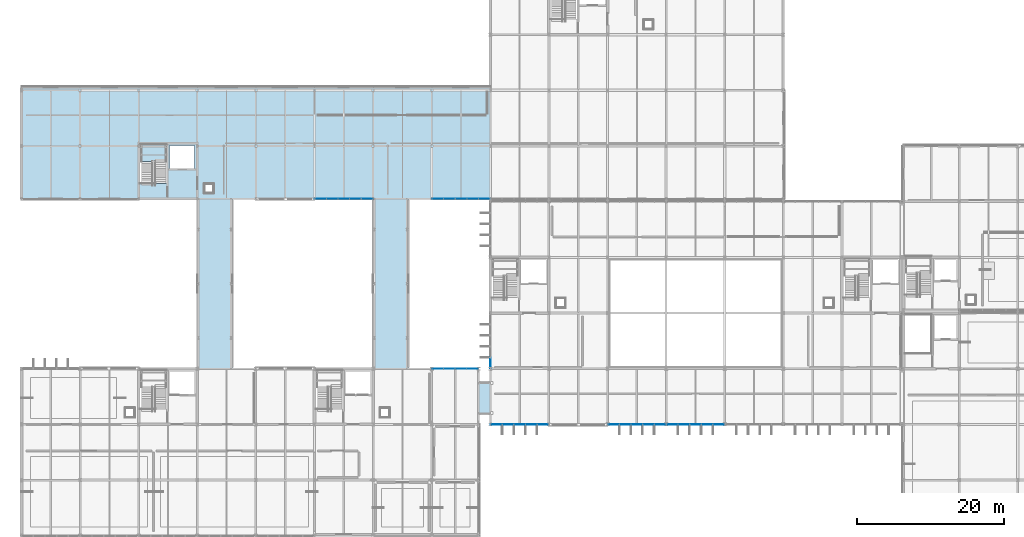
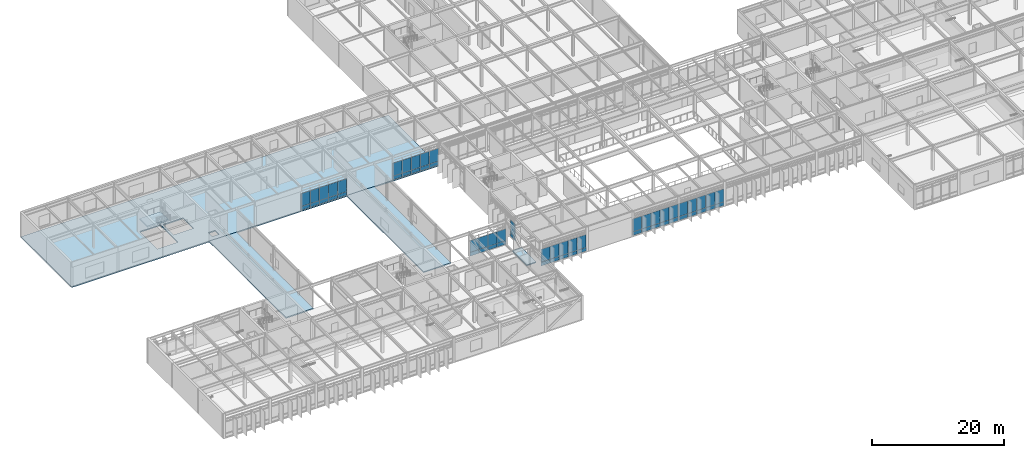
# One storey, part 70 of 104: 60 plates, 5 slabs, 8 elements without a shape of their own.
"""IFC4 building model written with IfcOpenShell, lengths in metres."""

from ifc_helpers import new_model, si_unit, direction, frame, origin, origin_2d, place, context, subcontext, project, spatial, polyline, rectangle, outline, extrude, material, layer, layer_set, type_object, element, aggregate, save


model = new_model("IFC4")

# Units and contexts
model_context = context("Model", 3, precision=1e-05, world=origin(), true_north=direction((0.0, 1.0)))
body_context = subcontext(model_context, "Body", "Model", "MODEL_VIEW")
ifc_project = project(units=[si_unit("LENGTHUNIT", "METRE"), si_unit("AREAUNIT", "SQUARE_METRE"), si_unit("VOLUMEUNIT", "CUBIC_METRE"), si_unit("PLANEANGLEUNIT", "RADIAN"), si_unit("MASSUNIT", "GRAM", prefix="KILO")], contexts=[model_context])

# Site, building, storey
site_placement = place(None, origin())
site = spatial("IfcSite", under=ifc_project, at=site_placement, CompositionType="ELEMENT")
building_placement = place(site_placement, origin())
building = spatial("IfcBuilding", under=site, at=building_placement, Name="Zulena Civic Courthouse", CompositionType="ELEMENT")
storey_placement = place(building_placement, frame((0.0, 0.0, 15.60009765625)))
storey = spatial("IfcBuildingStorey", under=building, at=storey_placement, Name="L03", CompositionType="ELEMENT", Elevation=15.60009765625)

# Slabs
ifc_material_1 = material(Name="Concrete C35/45", Category="concrete")
ifc_layer_1 = layer(ifc_material_1, 0.195068359375)
ifc_layer_set_1 = layer_set([ifc_layer_1], Name="Concrete C35/45")
slab_type_1 = type_object("IfcSlabType", Name="BridgeSlab_195", PredefinedType="FLOOR", material=ifc_layer_set_1)
slab_1_placement = place(storey_placement, frame((0.0, 0.0, -0.195068359375)))
element("IfcSlab", 1, at=slab_1_placement, inside=storey, type_object=slab_type_1, Name="slab:bridge:BR-24:L03", PredefinedType="FLOOR", context=body_context, shape_type="SweptSolid", body=[
    extrude(outline(polyline([(66.39990234375, 16.60009765625), (68.0, 16.60009765625), (68.0, 21.0), (66.39990234375, 21.0), (66.39990234375, 16.60009765625)])), origin(), (0.0, 0.0, 1.0), 0.195068359375),
])
slab_2_placement = place(storey_placement, frame((0.0, 0.0, -0.195068359375)))
element("IfcSlab", 2, at=slab_2_placement, inside=storey, type_object=slab_type_1, Name="slab:bridge:BR-52J:L03", PredefinedType="FLOOR", context=body_context, shape_type="SweptSolid", body=[
    extrude(outline(polyline([(28.0, 22.800048828125), (32.800048828125, 22.800048828125), (32.800048828125, 46.0), (28.0, 46.0), (28.0, 22.800048828125)])), origin(), (0.0, 0.0, 1.0), 0.195068359375),
])
slab_3_placement = place(storey_placement, frame((0.0, 0.0, -0.195068359375)))
element("IfcSlab", 3, at=slab_3_placement, inside=storey, type_object=slab_type_1, Name="slab:bridge:BR-52C:L03", PredefinedType="FLOOR", context=body_context, shape_type="SweptSolid", body=[
    extrude(outline(polyline([(52.0, 22.800048828125), (56.800048828125, 22.800048828125), (56.800048828125, 46.0), (52.0, 46.0), (52.0, 22.800048828125)])), origin(), (0.0, 0.0, 1.0), 0.195068359375),
])

# Curtain wall, plates
ifc_material_2 = material(Name="Double-silver low-E laminated solar-control glass", Category="glass")
curtain_wall_type_1 = type_object("IfcCurtainWallType", Name="CW_6328x3490", PredefinedType="USERDEFINED", material=ifc_material_2)
curtain_wall_1_placement = place(storey_placement, origin())
curtain_wall_1 = element("IfcCurtainWall", 4, at=curtain_wall_1_placement, inside=storey, type_object=curtain_wall_type_1, Name="cw:V2:L03:1:7", ObjectType="UNITISED CURTAIN WALL", PredefinedType="USERDEFINED")
ifc_material_3 = material(Name="Ceramic-fritted insulated spandrel glass", Category="glass")
ifc_layer_2 = layer(ifc_material_3, 0.0458984375)
ifc_layer_set_2 = layer_set([ifc_layer_2], Name="Ceramic-fritted insulated spandrel glass")
plate_type_1 = type_object("IfcPlateType", Name="CWPanel_Spandrel_46", PredefinedType="CURTAIN_PANEL", material=ifc_layer_set_2)
plate_1_placement = place(storey_placement, frame((60.826904296875, 22.800048828125, 0.06982421875), z_axis=(0.0, 0.0, 1.0), x_axis=(1.0, 0.0, 0.0)))
plate_1 = element("IfcPlate", 5, at=plate_1_placement, type_object=plate_type_1, Name="cw:V2:L03:1:7:panS:0", PredefinedType="CURTAIN_PANEL", context=body_context, shape_type="SweptSolid", body=[
    extrude(rectangle(XDim=1.531982421875, YDim=0.0458984375, at=origin_2d()), origin(), (0.0, 0.0, 1.0), 0.669921875),
])
plate_2_placement = place(storey_placement, frame((62.408935546875, 22.800048828125, 0.06982421875), z_axis=(0.0, 0.0, 1.0), x_axis=(1.0, 0.0, 0.0)))
plate_2 = element("IfcPlate", 6, at=plate_2_placement, type_object=plate_type_1, Name="cw:V2:L03:1:7:panS:1", PredefinedType="CURTAIN_PANEL", context=body_context, shape_type="SweptSolid", body=[
    extrude(rectangle(XDim=1.531982421875, YDim=0.0458984375, at=origin_2d()), origin(), (0.0, 0.0, 1.0), 0.669921875),
])
plate_3_placement = place(storey_placement, frame((63.990966796875, 22.800048828125, 0.06982421875), z_axis=(0.0, 0.0, 1.0), x_axis=(1.0, 0.0, 0.0)))
plate_3 = element("IfcPlate", 7, at=plate_3_placement, type_object=plate_type_1, Name="cw:V2:L03:1:7:panS:2", PredefinedType="CURTAIN_PANEL", context=body_context, shape_type="SweptSolid", body=[
    extrude(rectangle(XDim=1.531982421875, YDim=0.0458984375, at=origin_2d()), origin(), (0.0, 0.0, 1.0), 0.669921875),
])
plate_4_placement = place(storey_placement, frame((65.572998046875, 22.800048828125, 0.06982421875), z_axis=(0.0, 0.0, 1.0), x_axis=(1.0, 0.0, 0.0)))
plate_4 = element("IfcPlate", 8, at=plate_4_placement, type_object=plate_type_1, Name="cw:V2:L03:1:7:panS:3", PredefinedType="CURTAIN_PANEL", context=body_context, shape_type="SweptSolid", body=[
    extrude(rectangle(XDim=1.531982421875, YDim=0.0458984375, at=origin_2d()), origin(), (0.0, 0.0, 1.0), 0.669921875),
])

# Curtain wall, plate
curtain_wall_type_2 = type_object("IfcCurtainWallType", Name="CW_7528x3690", PredefinedType="USERDEFINED", material=ifc_material_2)
curtain_wall_2_placement = place(storey_placement, origin())
curtain_wall_2 = element("IfcCurtainWall", 9, at=curtain_wall_2_placement, inside=storey, type_object=curtain_wall_type_2, Name="cw:V4:L03:0:1", ObjectType="UNITISED CURTAIN WALL", PredefinedType="USERDEFINED")
plate_5_placement = place(storey_placement, frame((68.0, 23.5888671875, 0.06982421875), z_axis=(0.0, 0.0, 1.0), x_axis=(0.0, 1.0, 0.0)))
plate_5 = element("IfcPlate", 10, at=plate_5_placement, type_object=plate_type_1, Name="cw:V4:L03:0:1:panS:0", PredefinedType="CURTAIN_PANEL", context=body_context, shape_type="SweptSolid", body=[
    extrude(rectangle(XDim=1.4560546875, YDim=0.0458984375, at=origin_2d()), origin(), (0.0, 0.0, 1.0), 0.669921875),
])

# Curtain wall, plates
curtain_wall_type_3 = type_object("IfcCurtainWallType", Name="CW_7928x3690", PredefinedType="USERDEFINED", material=ifc_material_2)
curtain_wall_3_placement = place(storey_placement, origin())
curtain_wall_3 = element("IfcCurtainWall", 11, at=curtain_wall_3_placement, inside=storey, type_object=curtain_wall_type_3, Name="cw:V4:L03:3:3", ObjectType="UNITISED CURTAIN WALL", PredefinedType="USERDEFINED")
plate_6_placement = place(storey_placement, frame((99.171142578125, 15.199951171875, 0.06982421875), z_axis=(0.0, 0.0, 1.0), x_axis=(-1.0, 0.0, 0.0)))
plate_6 = element("IfcPlate", 12, at=plate_6_placement, type_object=plate_type_1, Name="cw:V4:L03:3:3:panS:0", PredefinedType="CURTAIN_PANEL", context=body_context, shape_type="SweptSolid", body=[
    extrude(rectangle(XDim=1.535888671875, YDim=0.0458984375, at=origin_2d()), origin(), (0.0, 0.0, 1.0), 0.669921875),
])
plate_7_placement = place(storey_placement, frame((97.585693359375, 15.199951171875, 0.06982421875), z_axis=(0.0, 0.0, 1.0), x_axis=(-1.0, 0.0, 0.0)))
plate_7 = element("IfcPlate", 13, at=plate_7_placement, type_object=plate_type_1, Name="cw:V4:L03:3:3:panS:1", PredefinedType="CURTAIN_PANEL", context=body_context, shape_type="SweptSolid", body=[
    extrude(rectangle(XDim=1.535888671875, YDim=0.0458984375, at=origin_2d()), origin(), (0.0, 0.0, 1.0), 0.669921875),
])
plate_8_placement = place(storey_placement, frame((96.0, 15.199951171875, 0.06982421875), z_axis=(0.0, 0.0, 1.0), x_axis=(-1.0, 0.0, 0.0)))
plate_8 = element("IfcPlate", 14, at=plate_8_placement, type_object=plate_type_1, Name="cw:V4:L03:3:3:panS:2", PredefinedType="CURTAIN_PANEL", context=body_context, shape_type="SweptSolid", body=[
    extrude(rectangle(XDim=1.535888671875, YDim=0.0458984375, at=origin_2d()), origin(), (0.0, 0.0, 1.0), 0.669921875),
])
plate_9_placement = place(storey_placement, frame((94.414306640625, 15.199951171875, 0.06982421875), z_axis=(0.0, 0.0, 1.0), x_axis=(-1.0, 0.0, 0.0)))
plate_9 = element("IfcPlate", 15, at=plate_9_placement, type_object=plate_type_1, Name="cw:V4:L03:3:3:panS:3", PredefinedType="CURTAIN_PANEL", context=body_context, shape_type="SweptSolid", body=[
    extrude(rectangle(XDim=1.535888671875, YDim=0.0458984375, at=origin_2d()), origin(), (0.0, 0.0, 1.0), 0.669921875),
])
plate_10_placement = place(storey_placement, frame((92.828857421875, 15.199951171875, 0.06982421875), z_axis=(0.0, 0.0, 1.0), x_axis=(-1.0, 0.0, 0.0)))
plate_10 = element("IfcPlate", 16, at=plate_10_placement, type_object=plate_type_1, Name="cw:V4:L03:3:3:panS:4", PredefinedType="CURTAIN_PANEL", context=body_context, shape_type="SweptSolid", body=[
    extrude(rectangle(XDim=1.535888671875, YDim=0.0458984375, at=origin_2d()), origin(), (0.0, 0.0, 1.0), 0.669921875),
])

curtain_wall_4_placement = place(storey_placement, origin())
curtain_wall_4 = element("IfcCurtainWall", 17, at=curtain_wall_4_placement, inside=storey, type_object=curtain_wall_type_3, Name="cw:V4:L03:3:4", ObjectType="UNITISED CURTAIN WALL", PredefinedType="USERDEFINED")
plate_11_placement = place(storey_placement, frame((91.171142578125, 15.199951171875, 0.06982421875), z_axis=(0.0, 0.0, 1.0), x_axis=(-1.0, 0.0, 0.0)))
plate_11 = element("IfcPlate", 18, at=plate_11_placement, type_object=plate_type_1, Name="cw:V4:L03:3:4:panS:0", PredefinedType="CURTAIN_PANEL", context=body_context, shape_type="SweptSolid", body=[
    extrude(rectangle(XDim=1.535888671875, YDim=0.0458984375, at=origin_2d()), origin(), (0.0, 0.0, 1.0), 0.669921875),
])
plate_12_placement = place(storey_placement, frame((89.585693359375, 15.199951171875, 0.06982421875), z_axis=(0.0, 0.0, 1.0), x_axis=(-1.0, 0.0, 0.0)))
plate_12 = element("IfcPlate", 19, at=plate_12_placement, type_object=plate_type_1, Name="cw:V4:L03:3:4:panS:1", PredefinedType="CURTAIN_PANEL", context=body_context, shape_type="SweptSolid", body=[
    extrude(rectangle(XDim=1.535888671875, YDim=0.0458984375, at=origin_2d()), origin(), (0.0, 0.0, 1.0), 0.669921875),
])
plate_13_placement = place(storey_placement, frame((88.0, 15.199951171875, 0.06982421875), z_axis=(0.0, 0.0, 1.0), x_axis=(-1.0, 0.0, 0.0)))
plate_13 = element("IfcPlate", 20, at=plate_13_placement, type_object=plate_type_1, Name="cw:V4:L03:3:4:panS:2", PredefinedType="CURTAIN_PANEL", context=body_context, shape_type="SweptSolid", body=[
    extrude(rectangle(XDim=1.535888671875, YDim=0.0458984375, at=origin_2d()), origin(), (0.0, 0.0, 1.0), 0.669921875),
])
plate_14_placement = place(storey_placement, frame((86.414306640625, 15.199951171875, 0.06982421875), z_axis=(0.0, 0.0, 1.0), x_axis=(-1.0, 0.0, 0.0)))
plate_14 = element("IfcPlate", 21, at=plate_14_placement, type_object=plate_type_1, Name="cw:V4:L03:3:4:panS:3", PredefinedType="CURTAIN_PANEL", context=body_context, shape_type="SweptSolid", body=[
    extrude(rectangle(XDim=1.535888671875, YDim=0.0458984375, at=origin_2d()), origin(), (0.0, 0.0, 1.0), 0.669921875),
])
plate_15_placement = place(storey_placement, frame((84.828857421875, 15.199951171875, 0.06982421875), z_axis=(0.0, 0.0, 1.0), x_axis=(-1.0, 0.0, 0.0)))
plate_15 = element("IfcPlate", 22, at=plate_15_placement, type_object=plate_type_1, Name="cw:V4:L03:3:4:panS:4", PredefinedType="CURTAIN_PANEL", context=body_context, shape_type="SweptSolid", body=[
    extrude(rectangle(XDim=1.535888671875, YDim=0.0458984375, at=origin_2d()), origin(), (0.0, 0.0, 1.0), 0.669921875),
])

curtain_wall_5_placement = place(storey_placement, origin())
curtain_wall_5 = element("IfcCurtainWall", 23, at=curtain_wall_5_placement, inside=storey, type_object=curtain_wall_type_3, Name="cw:V4:L03:3:6", ObjectType="UNITISED CURTAIN WALL", PredefinedType="USERDEFINED")
plate_16_placement = place(storey_placement, frame((75.171142578125, 15.199951171875, 0.06982421875), z_axis=(0.0, 0.0, 1.0), x_axis=(-1.0, 0.0, 0.0)))
plate_16 = element("IfcPlate", 24, at=plate_16_placement, type_object=plate_type_1, Name="cw:V4:L03:3:6:panS:0", PredefinedType="CURTAIN_PANEL", context=body_context, shape_type="SweptSolid", body=[
    extrude(rectangle(XDim=1.535888671875, YDim=0.0458984375, at=origin_2d()), origin(), (0.0, 0.0, 1.0), 0.669921875),
])
plate_17_placement = place(storey_placement, frame((73.585693359375, 15.199951171875, 0.06982421875), z_axis=(0.0, 0.0, 1.0), x_axis=(-1.0, 0.0, 0.0)))
plate_17 = element("IfcPlate", 25, at=plate_17_placement, type_object=plate_type_1, Name="cw:V4:L03:3:6:panS:1", PredefinedType="CURTAIN_PANEL", context=body_context, shape_type="SweptSolid", body=[
    extrude(rectangle(XDim=1.535888671875, YDim=0.0458984375, at=origin_2d()), origin(), (0.0, 0.0, 1.0), 0.669921875),
])
plate_18_placement = place(storey_placement, frame((72.0, 15.199951171875, 0.06982421875), z_axis=(0.0, 0.0, 1.0), x_axis=(-1.0, 0.0, 0.0)))
plate_18 = element("IfcPlate", 26, at=plate_18_placement, type_object=plate_type_1, Name="cw:V4:L03:3:6:panS:2", PredefinedType="CURTAIN_PANEL", context=body_context, shape_type="SweptSolid", body=[
    extrude(rectangle(XDim=1.535888671875, YDim=0.0458984375, at=origin_2d()), origin(), (0.0, 0.0, 1.0), 0.669921875),
])
plate_19_placement = place(storey_placement, frame((70.414306640625, 15.199951171875, 0.06982421875), z_axis=(0.0, 0.0, 1.0), x_axis=(-1.0, 0.0, 0.0)))
plate_19 = element("IfcPlate", 27, at=plate_19_placement, type_object=plate_type_1, Name="cw:V4:L03:3:6:panS:3", PredefinedType="CURTAIN_PANEL", context=body_context, shape_type="SweptSolid", body=[
    extrude(rectangle(XDim=1.535888671875, YDim=0.0458984375, at=origin_2d()), origin(), (0.0, 0.0, 1.0), 0.669921875),
])
plate_20_placement = place(storey_placement, frame((68.828857421875, 15.199951171875, 0.06982421875), z_axis=(0.0, 0.0, 1.0), x_axis=(-1.0, 0.0, 0.0)))
plate_20 = element("IfcPlate", 28, at=plate_20_placement, type_object=plate_type_1, Name="cw:V4:L03:3:6:panS:4", PredefinedType="CURTAIN_PANEL", context=body_context, shape_type="SweptSolid", body=[
    extrude(rectangle(XDim=1.535888671875, YDim=0.0458984375, at=origin_2d()), origin(), (0.0, 0.0, 1.0), 0.669921875),
])

curtain_wall_6_placement = place(storey_placement, origin())
curtain_wall_6 = element("IfcCurtainWall", 29, at=curtain_wall_6_placement, inside=storey, type_object=curtain_wall_type_3, Name="cw:V5:L03:5:5", ObjectType="UNITISED CURTAIN WALL", PredefinedType="USERDEFINED")
plate_21_placement = place(storey_placement, frame((67.171142578125, 46.0, 0.06982421875), z_axis=(0.0, 0.0, 1.0), x_axis=(-1.0, 0.0, 0.0)))
plate_21 = element("IfcPlate", 30, at=plate_21_placement, type_object=plate_type_1, Name="cw:V5:L03:5:5:panS:0", PredefinedType="CURTAIN_PANEL", context=body_context, shape_type="SweptSolid", body=[
    extrude(rectangle(XDim=1.535888671875, YDim=0.0458984375, at=origin_2d()), origin(), (0.0, 0.0, 1.0), 0.669921875),
])
plate_22_placement = place(storey_placement, frame((65.585693359375, 46.0, 0.06982421875), z_axis=(0.0, 0.0, 1.0), x_axis=(-1.0, 0.0, 0.0)))
plate_22 = element("IfcPlate", 31, at=plate_22_placement, type_object=plate_type_1, Name="cw:V5:L03:5:5:panS:1", PredefinedType="CURTAIN_PANEL", context=body_context, shape_type="SweptSolid", body=[
    extrude(rectangle(XDim=1.535888671875, YDim=0.0458984375, at=origin_2d()), origin(), (0.0, 0.0, 1.0), 0.669921875),
])
plate_23_placement = place(storey_placement, frame((64.0, 46.0, 0.06982421875), z_axis=(0.0, 0.0, 1.0), x_axis=(-1.0, 0.0, 0.0)))
plate_23 = element("IfcPlate", 32, at=plate_23_placement, type_object=plate_type_1, Name="cw:V5:L03:5:5:panS:2", PredefinedType="CURTAIN_PANEL", context=body_context, shape_type="SweptSolid", body=[
    extrude(rectangle(XDim=1.535888671875, YDim=0.0458984375, at=origin_2d()), origin(), (0.0, 0.0, 1.0), 0.669921875),
])
plate_24_placement = place(storey_placement, frame((62.414306640625, 46.0, 0.06982421875), z_axis=(0.0, 0.0, 1.0), x_axis=(-1.0, 0.0, 0.0)))
plate_24 = element("IfcPlate", 33, at=plate_24_placement, type_object=plate_type_1, Name="cw:V5:L03:5:5:panS:3", PredefinedType="CURTAIN_PANEL", context=body_context, shape_type="SweptSolid", body=[
    extrude(rectangle(XDim=1.535888671875, YDim=0.0458984375, at=origin_2d()), origin(), (0.0, 0.0, 1.0), 0.669921875),
])
plate_25_placement = place(storey_placement, frame((60.828857421875, 46.0, 0.06982421875), z_axis=(0.0, 0.0, 1.0), x_axis=(-1.0, 0.0, 0.0)))
plate_25 = element("IfcPlate", 34, at=plate_25_placement, type_object=plate_type_1, Name="cw:V5:L03:5:5:panS:4", PredefinedType="CURTAIN_PANEL", context=body_context, shape_type="SweptSolid", body=[
    extrude(rectangle(XDim=1.535888671875, YDim=0.0458984375, at=origin_2d()), origin(), (0.0, 0.0, 1.0), 0.669921875),
])

curtain_wall_7_placement = place(storey_placement, origin())
curtain_wall_7 = element("IfcCurtainWall", 35, at=curtain_wall_7_placement, inside=storey, type_object=curtain_wall_type_3, Name="cw:V5:L03:5:7", ObjectType="UNITISED CURTAIN WALL", PredefinedType="USERDEFINED")
plate_26_placement = place(storey_placement, frame((51.171142578125, 46.0, 0.06982421875), z_axis=(0.0, 0.0, 1.0), x_axis=(-1.0, 0.0, 0.0)))
plate_26 = element("IfcPlate", 36, at=plate_26_placement, type_object=plate_type_1, Name="cw:V5:L03:5:7:panS:0", PredefinedType="CURTAIN_PANEL", context=body_context, shape_type="SweptSolid", body=[
    extrude(rectangle(XDim=1.535888671875, YDim=0.0458984375, at=origin_2d()), origin(), (0.0, 0.0, 1.0), 0.669921875),
])
plate_27_placement = place(storey_placement, frame((49.585693359375, 46.0, 0.06982421875), z_axis=(0.0, 0.0, 1.0), x_axis=(-1.0, 0.0, 0.0)))
plate_27 = element("IfcPlate", 37, at=plate_27_placement, type_object=plate_type_1, Name="cw:V5:L03:5:7:panS:1", PredefinedType="CURTAIN_PANEL", context=body_context, shape_type="SweptSolid", body=[
    extrude(rectangle(XDim=1.535888671875, YDim=0.0458984375, at=origin_2d()), origin(), (0.0, 0.0, 1.0), 0.669921875),
])
plate_28_placement = place(storey_placement, frame((48.0, 46.0, 0.06982421875), z_axis=(0.0, 0.0, 1.0), x_axis=(-1.0, 0.0, 0.0)))
plate_28 = element("IfcPlate", 38, at=plate_28_placement, type_object=plate_type_1, Name="cw:V5:L03:5:7:panS:2", PredefinedType="CURTAIN_PANEL", context=body_context, shape_type="SweptSolid", body=[
    extrude(rectangle(XDim=1.535888671875, YDim=0.0458984375, at=origin_2d()), origin(), (0.0, 0.0, 1.0), 0.669921875),
])
plate_29_placement = place(storey_placement, frame((46.414306640625, 46.0, 0.06982421875), z_axis=(0.0, 0.0, 1.0), x_axis=(-1.0, 0.0, 0.0)))
plate_29 = element("IfcPlate", 39, at=plate_29_placement, type_object=plate_type_1, Name="cw:V5:L03:5:7:panS:3", PredefinedType="CURTAIN_PANEL", context=body_context, shape_type="SweptSolid", body=[
    extrude(rectangle(XDim=1.535888671875, YDim=0.0458984375, at=origin_2d()), origin(), (0.0, 0.0, 1.0), 0.669921875),
])
plate_30_placement = place(storey_placement, frame((44.828857421875, 46.0, 0.06982421875), z_axis=(0.0, 0.0, 1.0), x_axis=(-1.0, 0.0, 0.0)))
plate_30 = element("IfcPlate", 40, at=plate_30_placement, type_object=plate_type_1, Name="cw:V5:L03:5:7:panS:4", PredefinedType="CURTAIN_PANEL", context=body_context, shape_type="SweptSolid", body=[
    extrude(rectangle(XDim=1.535888671875, YDim=0.0458984375, at=origin_2d()), origin(), (0.0, 0.0, 1.0), 0.669921875),
])

# Plate
ifc_layer_3 = layer(ifc_material_2, 0.035888671875)
ifc_layer_set_3 = layer_set([ifc_layer_3], Name="Double-silver low-E laminated solar-control glass")
plate_type_2 = type_object("IfcPlateType", Name="CWPanel_Vision_36", PredefinedType="CURTAIN_PANEL", material=ifc_layer_set_3)
plate_31_placement = place(storey_placement, frame((60.826904296875, 22.800048828125, 0.760009765625), z_axis=(0.0, 0.0, 1.0), x_axis=(1.0, 0.0, 0.0)))
plate_31 = element("IfcPlate", 41, at=plate_31_placement, type_object=plate_type_2, Name="cw:V2:L03:1:7:panV:0", PredefinedType="CURTAIN_PANEL", context=body_context, shape_type="SweptSolid", body=[
    extrude(rectangle(XDim=1.531982421875, YDim=0.035888671875, at=origin_2d()), origin(), (0.0, 0.0, 1.0), 2.169921875),
])

plate_32_placement = place(storey_placement, frame((62.408935546875, 22.800048828125, 0.760009765625), z_axis=(0.0, 0.0, 1.0), x_axis=(1.0, 0.0, 0.0)))
plate_32 = element("IfcPlate", 42, at=plate_32_placement, type_object=plate_type_2, Name="cw:V2:L03:1:7:panV:1", PredefinedType="CURTAIN_PANEL", context=body_context, shape_type="SweptSolid", body=[
    extrude(rectangle(XDim=1.531982421875, YDim=0.035888671875, at=origin_2d()), origin(), (0.0, 0.0, 1.0), 2.169921875),
])

plate_33_placement = place(storey_placement, frame((63.990966796875, 22.800048828125, 0.760009765625), z_axis=(0.0, 0.0, 1.0), x_axis=(1.0, 0.0, 0.0)))
plate_33 = element("IfcPlate", 43, at=plate_33_placement, type_object=plate_type_2, Name="cw:V2:L03:1:7:panV:2", PredefinedType="CURTAIN_PANEL", context=body_context, shape_type="SweptSolid", body=[
    extrude(rectangle(XDim=1.531982421875, YDim=0.035888671875, at=origin_2d()), origin(), (0.0, 0.0, 1.0), 2.169921875),
])

plate_34_placement = place(storey_placement, frame((65.572998046875, 22.800048828125, 0.760009765625), z_axis=(0.0, 0.0, 1.0), x_axis=(1.0, 0.0, 0.0)))
plate_34 = element("IfcPlate", 44, at=plate_34_placement, type_object=plate_type_2, Name="cw:V2:L03:1:7:panV:3", PredefinedType="CURTAIN_PANEL", context=body_context, shape_type="SweptSolid", body=[
    extrude(rectangle(XDim=1.531982421875, YDim=0.035888671875, at=origin_2d()), origin(), (0.0, 0.0, 1.0), 2.169921875),
])

aggregate(curtain_wall_1, [plate_31, plate_1, plate_32, plate_2, plate_33, plate_3, plate_34, plate_4])

plate_35_placement = place(storey_placement, frame((68.0, 23.5888671875, 0.759765625), z_axis=(0.0, 0.0, 1.0), x_axis=(0.0, 1.0, 0.0)))
plate_35 = element("IfcPlate", 45, at=plate_35_placement, type_object=plate_type_2, Name="cw:V4:L03:0:1:panV:0", PredefinedType="CURTAIN_PANEL", context=body_context, shape_type="SweptSolid", body=[
    extrude(rectangle(XDim=1.4560546875, YDim=0.035888671875, at=origin_2d()), origin(), (0.0, 0.0, 1.0), 2.3701171875),
])

aggregate(curtain_wall_2, [plate_35, plate_5])

plate_36_placement = place(storey_placement, frame((99.171142578125, 15.199951171875, 0.759765625), z_axis=(0.0, 0.0, 1.0), x_axis=(-1.0, 0.0, 0.0)))
plate_36 = element("IfcPlate", 46, at=plate_36_placement, type_object=plate_type_2, Name="cw:V4:L03:3:3:panV:0", PredefinedType="CURTAIN_PANEL", context=body_context, shape_type="SweptSolid", body=[
    extrude(rectangle(XDim=1.535888671875, YDim=0.035888671875, at=origin_2d()), origin(), (0.0, 0.0, 1.0), 2.3701171875),
])

plate_37_placement = place(storey_placement, frame((97.585693359375, 15.199951171875, 0.759765625), z_axis=(0.0, 0.0, 1.0), x_axis=(-1.0, 0.0, 0.0)))
plate_37 = element("IfcPlate", 47, at=plate_37_placement, type_object=plate_type_2, Name="cw:V4:L03:3:3:panV:1", PredefinedType="CURTAIN_PANEL", context=body_context, shape_type="SweptSolid", body=[
    extrude(rectangle(XDim=1.535888671875, YDim=0.035888671875, at=origin_2d()), origin(), (0.0, 0.0, 1.0), 2.3701171875),
])

plate_38_placement = place(storey_placement, frame((96.0, 15.199951171875, 0.759765625), z_axis=(0.0, 0.0, 1.0), x_axis=(-1.0, 0.0, 0.0)))
plate_38 = element("IfcPlate", 48, at=plate_38_placement, type_object=plate_type_2, Name="cw:V4:L03:3:3:panV:2", PredefinedType="CURTAIN_PANEL", context=body_context, shape_type="SweptSolid", body=[
    extrude(rectangle(XDim=1.535888671875, YDim=0.035888671875, at=origin_2d()), origin(), (0.0, 0.0, 1.0), 2.3701171875),
])

plate_39_placement = place(storey_placement, frame((94.414306640625, 15.199951171875, 0.759765625), z_axis=(0.0, 0.0, 1.0), x_axis=(-1.0, 0.0, 0.0)))
plate_39 = element("IfcPlate", 49, at=plate_39_placement, type_object=plate_type_2, Name="cw:V4:L03:3:3:panV:3", PredefinedType="CURTAIN_PANEL", context=body_context, shape_type="SweptSolid", body=[
    extrude(rectangle(XDim=1.535888671875, YDim=0.035888671875, at=origin_2d()), origin(), (0.0, 0.0, 1.0), 2.3701171875),
])

plate_40_placement = place(storey_placement, frame((92.828857421875, 15.199951171875, 0.759765625), z_axis=(0.0, 0.0, 1.0), x_axis=(-1.0, 0.0, 0.0)))
plate_40 = element("IfcPlate", 50, at=plate_40_placement, type_object=plate_type_2, Name="cw:V4:L03:3:3:panV:4", PredefinedType="CURTAIN_PANEL", context=body_context, shape_type="SweptSolid", body=[
    extrude(rectangle(XDim=1.535888671875, YDim=0.035888671875, at=origin_2d()), origin(), (0.0, 0.0, 1.0), 2.3701171875),
])

aggregate(curtain_wall_3, [plate_36, plate_6, plate_37, plate_7, plate_38, plate_8, plate_39, plate_9, plate_40, plate_10])

plate_41_placement = place(storey_placement, frame((91.171142578125, 15.199951171875, 0.759765625), z_axis=(0.0, 0.0, 1.0), x_axis=(-1.0, 0.0, 0.0)))
plate_41 = element("IfcPlate", 51, at=plate_41_placement, type_object=plate_type_2, Name="cw:V4:L03:3:4:panV:0", PredefinedType="CURTAIN_PANEL", context=body_context, shape_type="SweptSolid", body=[
    extrude(rectangle(XDim=1.535888671875, YDim=0.035888671875, at=origin_2d()), origin(), (0.0, 0.0, 1.0), 2.3701171875),
])

plate_42_placement = place(storey_placement, frame((89.585693359375, 15.199951171875, 0.759765625), z_axis=(0.0, 0.0, 1.0), x_axis=(-1.0, 0.0, 0.0)))
plate_42 = element("IfcPlate", 52, at=plate_42_placement, type_object=plate_type_2, Name="cw:V4:L03:3:4:panV:1", PredefinedType="CURTAIN_PANEL", context=body_context, shape_type="SweptSolid", body=[
    extrude(rectangle(XDim=1.535888671875, YDim=0.035888671875, at=origin_2d()), origin(), (0.0, 0.0, 1.0), 2.3701171875),
])

plate_43_placement = place(storey_placement, frame((88.0, 15.199951171875, 0.759765625), z_axis=(0.0, 0.0, 1.0), x_axis=(-1.0, 0.0, 0.0)))
plate_43 = element("IfcPlate", 53, at=plate_43_placement, type_object=plate_type_2, Name="cw:V4:L03:3:4:panV:2", PredefinedType="CURTAIN_PANEL", context=body_context, shape_type="SweptSolid", body=[
    extrude(rectangle(XDim=1.535888671875, YDim=0.035888671875, at=origin_2d()), origin(), (0.0, 0.0, 1.0), 2.3701171875),
])

plate_44_placement = place(storey_placement, frame((86.414306640625, 15.199951171875, 0.759765625), z_axis=(0.0, 0.0, 1.0), x_axis=(-1.0, 0.0, 0.0)))
plate_44 = element("IfcPlate", 54, at=plate_44_placement, type_object=plate_type_2, Name="cw:V4:L03:3:4:panV:3", PredefinedType="CURTAIN_PANEL", context=body_context, shape_type="SweptSolid", body=[
    extrude(rectangle(XDim=1.535888671875, YDim=0.035888671875, at=origin_2d()), origin(), (0.0, 0.0, 1.0), 2.3701171875),
])

plate_45_placement = place(storey_placement, frame((84.828857421875, 15.199951171875, 0.759765625), z_axis=(0.0, 0.0, 1.0), x_axis=(-1.0, 0.0, 0.0)))
plate_45 = element("IfcPlate", 55, at=plate_45_placement, type_object=plate_type_2, Name="cw:V4:L03:3:4:panV:4", PredefinedType="CURTAIN_PANEL", context=body_context, shape_type="SweptSolid", body=[
    extrude(rectangle(XDim=1.535888671875, YDim=0.035888671875, at=origin_2d()), origin(), (0.0, 0.0, 1.0), 2.3701171875),
])

aggregate(curtain_wall_4, [plate_41, plate_11, plate_42, plate_12, plate_43, plate_13, plate_44, plate_14, plate_45, plate_15])

plate_46_placement = place(storey_placement, frame((75.171142578125, 15.199951171875, 0.759765625), z_axis=(0.0, 0.0, 1.0), x_axis=(-1.0, 0.0, 0.0)))
plate_46 = element("IfcPlate", 56, at=plate_46_placement, type_object=plate_type_2, Name="cw:V4:L03:3:6:panV:0", PredefinedType="CURTAIN_PANEL", context=body_context, shape_type="SweptSolid", body=[
    extrude(rectangle(XDim=1.535888671875, YDim=0.035888671875, at=origin_2d()), origin(), (0.0, 0.0, 1.0), 2.3701171875),
])

plate_47_placement = place(storey_placement, frame((73.585693359375, 15.199951171875, 0.759765625), z_axis=(0.0, 0.0, 1.0), x_axis=(-1.0, 0.0, 0.0)))
plate_47 = element("IfcPlate", 57, at=plate_47_placement, type_object=plate_type_2, Name="cw:V4:L03:3:6:panV:1", PredefinedType="CURTAIN_PANEL", context=body_context, shape_type="SweptSolid", body=[
    extrude(rectangle(XDim=1.535888671875, YDim=0.035888671875, at=origin_2d()), origin(), (0.0, 0.0, 1.0), 2.3701171875),
])

plate_48_placement = place(storey_placement, frame((72.0, 15.199951171875, 0.759765625), z_axis=(0.0, 0.0, 1.0), x_axis=(-1.0, 0.0, 0.0)))
plate_48 = element("IfcPlate", 58, at=plate_48_placement, type_object=plate_type_2, Name="cw:V4:L03:3:6:panV:2", PredefinedType="CURTAIN_PANEL", context=body_context, shape_type="SweptSolid", body=[
    extrude(rectangle(XDim=1.535888671875, YDim=0.035888671875, at=origin_2d()), origin(), (0.0, 0.0, 1.0), 2.3701171875),
])

plate_49_placement = place(storey_placement, frame((70.414306640625, 15.199951171875, 0.759765625), z_axis=(0.0, 0.0, 1.0), x_axis=(-1.0, 0.0, 0.0)))
plate_49 = element("IfcPlate", 59, at=plate_49_placement, type_object=plate_type_2, Name="cw:V4:L03:3:6:panV:3", PredefinedType="CURTAIN_PANEL", context=body_context, shape_type="SweptSolid", body=[
    extrude(rectangle(XDim=1.535888671875, YDim=0.035888671875, at=origin_2d()), origin(), (0.0, 0.0, 1.0), 2.3701171875),
])

plate_50_placement = place(storey_placement, frame((68.828857421875, 15.199951171875, 0.759765625), z_axis=(0.0, 0.0, 1.0), x_axis=(-1.0, 0.0, 0.0)))
plate_50 = element("IfcPlate", 60, at=plate_50_placement, type_object=plate_type_2, Name="cw:V4:L03:3:6:panV:4", PredefinedType="CURTAIN_PANEL", context=body_context, shape_type="SweptSolid", body=[
    extrude(rectangle(XDim=1.535888671875, YDim=0.035888671875, at=origin_2d()), origin(), (0.0, 0.0, 1.0), 2.3701171875),
])

aggregate(curtain_wall_5, [plate_46, plate_16, plate_47, plate_17, plate_48, plate_18, plate_49, plate_19, plate_50, plate_20])

plate_51_placement = place(storey_placement, frame((67.171142578125, 46.0, 0.759765625), z_axis=(0.0, 0.0, 1.0), x_axis=(-1.0, 0.0, 0.0)))
plate_51 = element("IfcPlate", 61, at=plate_51_placement, type_object=plate_type_2, Name="cw:V5:L03:5:5:panV:0", PredefinedType="CURTAIN_PANEL", context=body_context, shape_type="SweptSolid", body=[
    extrude(rectangle(XDim=1.535888671875, YDim=0.035888671875, at=origin_2d()), origin(), (0.0, 0.0, 1.0), 2.3701171875),
])

plate_52_placement = place(storey_placement, frame((65.585693359375, 46.0, 0.759765625), z_axis=(0.0, 0.0, 1.0), x_axis=(-1.0, 0.0, 0.0)))
plate_52 = element("IfcPlate", 62, at=plate_52_placement, type_object=plate_type_2, Name="cw:V5:L03:5:5:panV:1", PredefinedType="CURTAIN_PANEL", context=body_context, shape_type="SweptSolid", body=[
    extrude(rectangle(XDim=1.535888671875, YDim=0.035888671875, at=origin_2d()), origin(), (0.0, 0.0, 1.0), 2.3701171875),
])

plate_53_placement = place(storey_placement, frame((64.0, 46.0, 0.759765625), z_axis=(0.0, 0.0, 1.0), x_axis=(-1.0, 0.0, 0.0)))
plate_53 = element("IfcPlate", 63, at=plate_53_placement, type_object=plate_type_2, Name="cw:V5:L03:5:5:panV:2", PredefinedType="CURTAIN_PANEL", context=body_context, shape_type="SweptSolid", body=[
    extrude(rectangle(XDim=1.535888671875, YDim=0.035888671875, at=origin_2d()), origin(), (0.0, 0.0, 1.0), 2.3701171875),
])

plate_54_placement = place(storey_placement, frame((62.414306640625, 46.0, 0.759765625), z_axis=(0.0, 0.0, 1.0), x_axis=(-1.0, 0.0, 0.0)))
plate_54 = element("IfcPlate", 64, at=plate_54_placement, type_object=plate_type_2, Name="cw:V5:L03:5:5:panV:3", PredefinedType="CURTAIN_PANEL", context=body_context, shape_type="SweptSolid", body=[
    extrude(rectangle(XDim=1.535888671875, YDim=0.035888671875, at=origin_2d()), origin(), (0.0, 0.0, 1.0), 2.3701171875),
])

plate_55_placement = place(storey_placement, frame((60.828857421875, 46.0, 0.759765625), z_axis=(0.0, 0.0, 1.0), x_axis=(-1.0, 0.0, 0.0)))
plate_55 = element("IfcPlate", 65, at=plate_55_placement, type_object=plate_type_2, Name="cw:V5:L03:5:5:panV:4", PredefinedType="CURTAIN_PANEL", context=body_context, shape_type="SweptSolid", body=[
    extrude(rectangle(XDim=1.535888671875, YDim=0.035888671875, at=origin_2d()), origin(), (0.0, 0.0, 1.0), 2.3701171875),
])

aggregate(curtain_wall_6, [plate_51, plate_21, plate_52, plate_22, plate_53, plate_23, plate_54, plate_24, plate_55, plate_25])

plate_56_placement = place(storey_placement, frame((51.171142578125, 46.0, 0.759765625), z_axis=(0.0, 0.0, 1.0), x_axis=(-1.0, 0.0, 0.0)))
plate_56 = element("IfcPlate", 66, at=plate_56_placement, type_object=plate_type_2, Name="cw:V5:L03:5:7:panV:0", PredefinedType="CURTAIN_PANEL", context=body_context, shape_type="SweptSolid", body=[
    extrude(rectangle(XDim=1.535888671875, YDim=0.035888671875, at=origin_2d()), origin(), (0.0, 0.0, 1.0), 2.3701171875),
])

plate_57_placement = place(storey_placement, frame((49.585693359375, 46.0, 0.759765625), z_axis=(0.0, 0.0, 1.0), x_axis=(-1.0, 0.0, 0.0)))
plate_57 = element("IfcPlate", 67, at=plate_57_placement, type_object=plate_type_2, Name="cw:V5:L03:5:7:panV:1", PredefinedType="CURTAIN_PANEL", context=body_context, shape_type="SweptSolid", body=[
    extrude(rectangle(XDim=1.535888671875, YDim=0.035888671875, at=origin_2d()), origin(), (0.0, 0.0, 1.0), 2.3701171875),
])

plate_58_placement = place(storey_placement, frame((48.0, 46.0, 0.759765625), z_axis=(0.0, 0.0, 1.0), x_axis=(-1.0, 0.0, 0.0)))
plate_58 = element("IfcPlate", 68, at=plate_58_placement, type_object=plate_type_2, Name="cw:V5:L03:5:7:panV:2", PredefinedType="CURTAIN_PANEL", context=body_context, shape_type="SweptSolid", body=[
    extrude(rectangle(XDim=1.535888671875, YDim=0.035888671875, at=origin_2d()), origin(), (0.0, 0.0, 1.0), 2.3701171875),
])

plate_59_placement = place(storey_placement, frame((46.414306640625, 46.0, 0.759765625), z_axis=(0.0, 0.0, 1.0), x_axis=(-1.0, 0.0, 0.0)))
plate_59 = element("IfcPlate", 69, at=plate_59_placement, type_object=plate_type_2, Name="cw:V5:L03:5:7:panV:3", PredefinedType="CURTAIN_PANEL", context=body_context, shape_type="SweptSolid", body=[
    extrude(rectangle(XDim=1.535888671875, YDim=0.035888671875, at=origin_2d()), origin(), (0.0, 0.0, 1.0), 2.3701171875),
])

plate_60_placement = place(storey_placement, frame((44.828857421875, 46.0, 0.759765625), z_axis=(0.0, 0.0, 1.0), x_axis=(-1.0, 0.0, 0.0)))
plate_60 = element("IfcPlate", 70, at=plate_60_placement, type_object=plate_type_2, Name="cw:V5:L03:5:7:panV:4", PredefinedType="CURTAIN_PANEL", context=body_context, shape_type="SweptSolid", body=[
    extrude(rectangle(XDim=1.535888671875, YDim=0.035888671875, at=origin_2d()), origin(), (0.0, 0.0, 1.0), 2.3701171875),
])

aggregate(curtain_wall_7, [plate_56, plate_26, plate_57, plate_27, plate_58, plate_28, plate_59, plate_29, plate_60, plate_30])

# Slab
ifc_layer_4 = layer(ifc_material_1, 0.2099609375)
ifc_layer_set_4 = layer_set([ifc_layer_4], Name="Concrete C35/45")
slab_type_2 = type_object("IfcSlabType", Name="FloorSlab_210", PredefinedType="FLOOR", material=ifc_layer_set_4)
slab_4_placement = place(storey_placement, frame((0.0, 0.0, -0.210205078125)))
element("IfcSlab", 71, at=slab_4_placement, inside=storey, type_object=slab_type_2, Name="slab:V5:L03_1", PredefinedType="FLOOR", context=body_context, shape_type="SweptSolid", body=[
    extrude(outline(polyline([(4.0, 61.199951171875), (68.0, 61.199951171875), (68.0, 46.0), (4.0, 46.0), (4.0, 61.199951171875)]), holes=[polyline([(20.18994140625, 53.409912109375), (20.18994140625, 48.1201171875), (23.81005859375, 48.1201171875), (23.81005859375, 53.409912109375), (20.18994140625, 53.409912109375)]), polyline([(27.64990234375, 53.25), (24.199951171875, 53.25), (24.199951171875, 50.10009765625), (27.64990234375, 50.10009765625), (27.64990234375, 53.25)]), polyline([(29.0, 48.0), (29.0, 46.800048828125), (30.199951171875, 46.800048828125), (30.199951171875, 48.0), (29.0, 48.0)])]), origin(), (0.0, 0.0, 1.0), 0.210205078125),
])

# Stair, slab
ifc_material_4 = material(Name="Precast concrete C40/50", Category="concrete")
stair_type = type_object("IfcStairType", Name="HalfTurnStair_4800", PredefinedType="HALF_TURN_STAIR", material=ifc_material_4)
stair_placement = place(storey_placement, origin())
stair = element("IfcStair", 72, at=stair_placement, inside=storey, type_object=stair_type, Name="stair:K5A:L03", PredefinedType="HALF_TURN_STAIR")
ifc_layer_5 = layer(ifc_material_4, 0.280029296875)
ifc_layer_set_5 = layer_set([ifc_layer_5], Name="Precast concrete C40/50")
slab_type_3 = type_object("IfcSlabType", Name="StairLandingSlab_280", PredefinedType="LANDING", material=ifc_layer_set_5)
slab_5_placement = place(storey_placement, frame((0.0, 0.0, 2.119873046875)))
slab_5 = element("IfcSlab", 73, at=slab_5_placement, type_object=slab_type_3, Name="stair:K5A:L03:LND", PredefinedType="LANDING", context=body_context, shape_type="SweptSolid", body=[
    extrude(outline(polyline([(20.179931640625, 51.094482421875), (23.820068359375, 51.094482421875), (23.820068359375, 53.419921875), (20.179931640625, 53.419921875), (20.179931640625, 51.094482421875)])), origin(), (0.0, 0.0, 1.0), 0.280029296875),
])
aggregate(stair, [slab_5])

save(model, "model.ifc")
